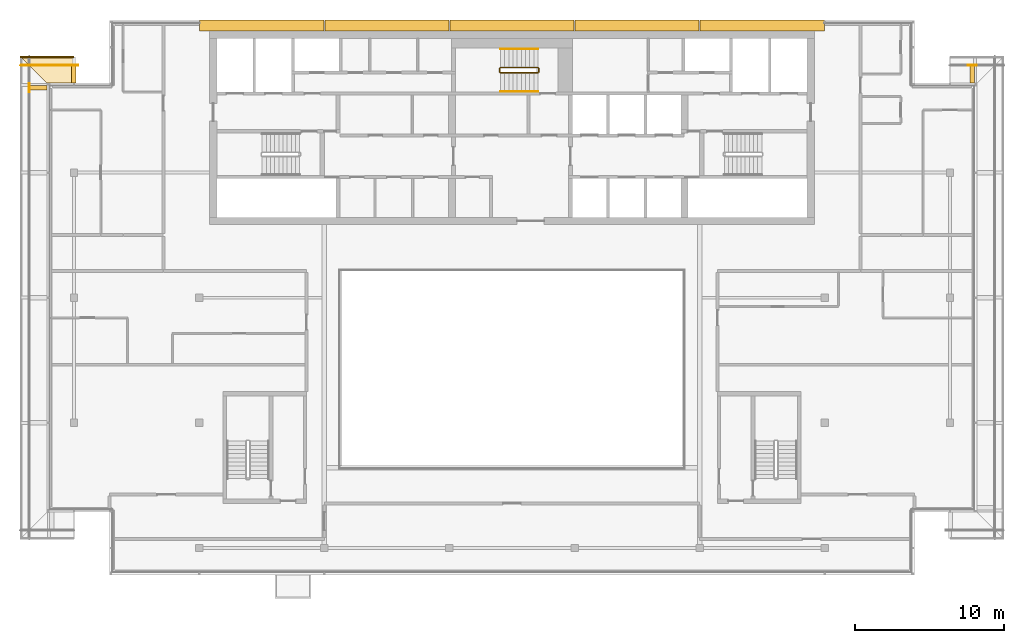
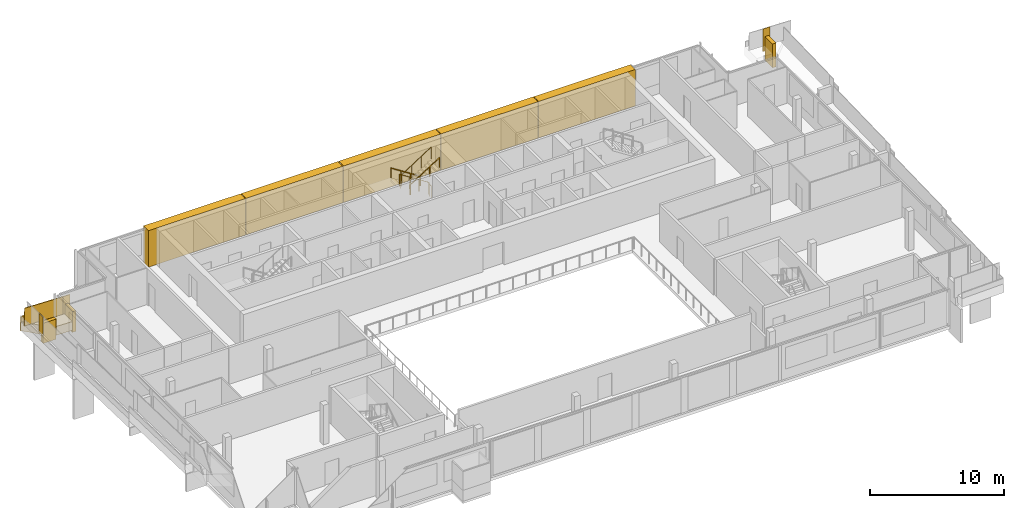
# One storey, part 18 of 19: 10 coverings, 7 railings.
"""IFC4 building model written with IfcOpenShell, lengths in metres."""

from ifc_helpers import new_model, si_unit, direction, frame, origin, origin_2d, place, context, subcontext, project, spatial, polyline, rectangle, circle, outline, extrude, material, layer, layer_set, type_object, element, save


model = new_model("IFC4")

# Units and contexts
model_context = context("Model", 3, precision=1e-05, world=origin(), true_north=direction((0.0, 1.0)))
body_context = subcontext(model_context, "Body", "Model", "MODEL_VIEW")
ifc_project = project(units=[si_unit("LENGTHUNIT", "METRE"), si_unit("AREAUNIT", "SQUARE_METRE"), si_unit("VOLUMEUNIT", "CUBIC_METRE"), si_unit("PLANEANGLEUNIT", "RADIAN"), si_unit("MASSUNIT", "GRAM", prefix="KILO")], contexts=[model_context])

# Site, building, storey
site_placement = place(None, origin())
site = spatial("IfcSite", under=ifc_project, at=site_placement, CompositionType="ELEMENT")
building_placement = place(site_placement, origin())
building = spatial("IfcBuilding", under=site, at=building_placement, Name="Saffron Gate Tower", CompositionType="ELEMENT")
storey_placement = place(building_placement, frame((0.0, 0.0, 292.35009765625)))
storey = spatial("IfcBuildingStorey", under=building, at=storey_placement, Name="L71", CompositionType="ELEMENT", Elevation=292.35009765625)

# Coverings
ifc_material_1 = material(Name="Ceramic-printed bronze insulated panel")
ifc_layer_1 = layer(ifc_material_1, 0.739990234375)
ifc_layer_set_1 = layer_set([ifc_layer_1], Name="CLD5 ceramic-printed cladding panel 740")
covering_type_1 = type_object("IfcCoveringType", Name="CLD5 ceramic-printed cladding panel 740", PredefinedType="CLADDING", material=ifc_layer_set_1)
covering_1_placement = place(storey_placement, origin())
element("IfcCovering", 1, at=covering_1_placement, inside=storey, type_object=covering_type_1, Name="CLADDING ceramic-printed panel", PredefinedType="CLADDING", context=body_context, shape_type="SweptSolid", body=[
    extrude(outline(polyline([(108.56494140625, 75.639892578125), (100.235107421875, 75.639892578125), (100.235107421875, 74.89990234375), (108.56494140625, 74.89990234375), (108.56494140625, 75.639892578125)])), origin(), (0.0, 0.0, 1.0), 3.31982421875),
])
covering_2_placement = place(storey_placement, origin())
element("IfcCovering", 2, at=covering_2_placement, inside=storey, type_object=covering_type_1, Name="CLADDING ceramic-printed panel", PredefinedType="CLADDING", context=body_context, shape_type="SweptSolid", body=[
    extrude(outline(polyline([(100.1650390625, 75.639892578125), (91.8349609375, 75.639892578125), (91.8349609375, 74.89990234375), (100.1650390625, 74.89990234375), (100.1650390625, 75.639892578125)])), origin(), (0.0, 0.0, 1.0), 3.31982421875),
])
covering_3_placement = place(storey_placement, origin())
element("IfcCovering", 3, at=covering_3_placement, inside=storey, type_object=covering_type_1, Name="CLADDING ceramic-printed panel", PredefinedType="CLADDING", context=body_context, shape_type="SweptSolid", body=[
    extrude(outline(polyline([(91.764892578125, 75.639892578125), (83.43505859375, 75.639892578125), (83.43505859375, 74.89990234375), (91.764892578125, 74.89990234375), (91.764892578125, 75.639892578125)])), origin(), (0.0, 0.0, 1.0), 3.31982421875),
])
covering_4_placement = place(storey_placement, origin())
element("IfcCovering", 4, at=covering_4_placement, inside=storey, type_object=covering_type_1, Name="CLADDING ceramic-printed panel", PredefinedType="CLADDING", context=body_context, shape_type="SweptSolid", body=[
    extrude(outline(polyline([(83.364990234375, 75.639892578125), (75.034912109375, 75.639892578125), (75.034912109375, 74.89990234375), (83.364990234375, 74.89990234375), (83.364990234375, 75.639892578125)])), origin(), (0.0, 0.0, 1.0), 3.31982421875),
])
covering_5_placement = place(storey_placement, origin())
element("IfcCovering", 5, at=covering_5_placement, inside=storey, type_object=covering_type_1, Name="CLADDING ceramic-printed panel", PredefinedType="CLADDING", context=body_context, shape_type="SweptSolid", body=[
    extrude(outline(polyline([(74.965087890625, 75.639892578125), (66.635009765625, 75.639892578125), (66.635009765625, 74.89990234375), (74.965087890625, 74.89990234375), (74.965087890625, 75.639892578125)])), origin(), (0.0, 0.0, 1.0), 3.31982421875),
])

# Railings
ifc_material_2 = material(Name="Stainless steel and laminated glass", Category="steel")
railing_type_1 = type_object("IfcRailingType", Name="CR1 Stair guard 1100", PredefinedType="GUARDRAIL", material=ifc_material_2)
railing_1_placement = place(storey_placement, frame((89.39990234375, 72.14990234375, 0.0)))
element("IfcRailing", 6, at=railing_1_placement, inside=storey, type_object=railing_type_1, Name="L71 ST-C stair guard 1", PredefinedType="GUARDRAIL", context=body_context, shape_type="SweptSolid", body=[
    extrude(circle(Radius=0.02392578125, at=origin_2d()), frame((0.0, 0.0, 1.076171875), z_axis=(0.0, 1.0, 0.0), x_axis=(-1.0, 0.0, 0.0)), (0.0, 0.0, 1.0), 0.25),
    extrude(circle(Radius=0.02392578125, at=origin_2d()), frame((0.0, 0.25, 1.076171875), z_axis=(-0.257669022063, 0.258932105505, 0.930892496375), x_axis=(-0.708833529934, -0.705375805398, 0.0)), (0.0, 0.0, 1.0), 0.193359375),
    extrude(circle(Radius=0.02392578125, at=origin_2d()), frame((-0.0498046875, 0.300048828125, 1.255859375), z_axis=(-0.841199657755, 0.0, 0.540724639528), x_axis=(0.0, -1.0, 0.0)), (0.0, 0.0, 1.0), 2.995849609375),
    extrude(circle(Radius=0.02392578125, at=origin_2d()), frame((-2.56982421875, 0.300048828125, 2.8759765625), z_axis=(-0.707106781187, -0.707106781187, 0.0), x_axis=(0.707106781187, -0.707106781187, 0.0)), (0.0, 0.0, 1.0), 0.07080078125),
    extrude(circle(Radius=0.02392578125, at=origin_2d()), frame((-2.619873046875, 0.25, 2.8759765625), z_axis=(0.0, -1.0, 0.0), x_axis=(1.0, 0.0, 0.0)), (0.0, 0.0, 1.0), 0.25),
    extrude(circle(Radius=0.02392578125, at=origin_2d()), frame((-2.619873046875, 0.0, 2.8759765625), z_axis=(0.258627984543, -0.257366384619, 0.931060744355), x_axis=(0.705375805398, 0.708833529934, 0.0)), (0.0, 0.0, 1.0), 0.193603515625),
    extrude(circle(Radius=0.02392578125, at=origin_2d()), frame((-2.56982421875, -0.0498046875, 3.05615234375), z_axis=(0.841199657755, 0.0, 0.540724639528), x_axis=(0.0, 1.0, 0.0)), (0.0, 0.0, 1.0), 2.995849609375),
    extrude(circle(Radius=0.02099609375, at=origin_2d()), origin(), (0.0, 0.0, 1.0), 1.052001953125),
    extrude(circle(Radius=0.02099609375, at=origin_2d()), frame((0.0, 0.25, 0.0)), (0.0, 0.0, 1.0), 1.052001953125),
    extrude(circle(Radius=0.02099609375, at=origin_2d()), frame((-0.0498046875, 0.300048828125, 0.179931640625)), (0.0, 0.0, 1.0), 1.052001953125),
    extrude(circle(Radius=0.02099609375, at=origin_2d()), frame((-0.889892578125, 0.300048828125, 0.719970703125)), (0.0, 0.0, 1.0), 1.052001953125),
    extrude(circle(Radius=0.02099609375, at=origin_2d()), frame((-1.729736328125, 0.300048828125, 1.259765625)), (0.0, 0.0, 1.0), 1.052001953125),
    extrude(circle(Radius=0.02099609375, at=origin_2d()), frame((-2.56982421875, 0.300048828125, 1.7998046875)), (0.0, 0.0, 1.0), 1.052001953125),
    extrude(circle(Radius=0.02099609375, at=origin_2d()), frame((-2.619873046875, 0.25, 1.7998046875)), (0.0, 0.0, 1.0), 1.052001953125),
    extrude(circle(Radius=0.02099609375, at=origin_2d()), frame((-2.619873046875, 0.0, 1.7998046875)), (0.0, 0.0, 1.0), 1.052001953125),
    extrude(circle(Radius=0.02099609375, at=origin_2d()), frame((-2.56982421875, -0.0498046875, 1.97998046875)), (0.0, 0.0, 1.0), 1.052001953125),
    extrude(circle(Radius=0.02099609375, at=origin_2d()), frame((-1.729736328125, -0.0498046875, 2.52001953125)), (0.0, 0.0, 1.0), 1.052001953125),
    extrude(circle(Radius=0.02099609375, at=origin_2d()), frame((-0.889892578125, -0.0498046875, 3.059814453125)), (0.0, 0.0, 1.0), 1.052001953125),
    extrude(circle(Radius=0.02099609375, at=origin_2d()), frame((-0.0498046875, -0.0498046875, 3.599853515625)), (0.0, 0.0, 1.0), 1.052001953125),
])
ifc_material_3 = material(Name="Stainless steel", Category="steel")
railing_type_2 = type_object("IfcRailingType", Name="CR2 Stair handrail 900", PredefinedType="HANDRAIL", material=ifc_material_3)
railing_2_placement = place(storey_placement, frame((89.35009765625, 73.699951171875, 0.179931640625)))
element("IfcRailing", 7, at=railing_2_placement, inside=storey, type_object=railing_type_2, Name="L71 ST-C stair handrail 1", PredefinedType="HANDRAIL", context=body_context, shape_type="SweptSolid", body=[
    extrude(circle(Radius=0.02392578125, at=origin_2d()), frame((0.0, 0.0, 0.8759765625), z_axis=(-0.841199657755, 0.0, 0.540724639528), x_axis=(0.0, -1.0, 0.0)), (0.0, 0.0, 1.0), 2.995849609375),
    extrude(circle(Radius=0.02099609375, at=origin_2d()), origin(), (0.0, 0.0, 1.0), 0.851806640625),
    extrude(circle(Radius=0.02099609375, at=origin_2d()), frame((-0.840087890625, 0.0, 0.5400390625)), (0.0, 0.0, 1.0), 0.851806640625),
    extrude(circle(Radius=0.02099609375, at=origin_2d()), frame((-1.679931640625, 0.0, 1.079833984375)), (0.0, 0.0, 1.0), 0.851806640625),
    extrude(circle(Radius=0.02099609375, at=origin_2d()), frame((-2.52001953125, 0.0, 1.619873046875)), (0.0, 0.0, 1.0), 0.851806640625),
])
railing_3_placement = place(storey_placement, frame((86.830078125, 70.85009765625, 1.97998046875)))
element("IfcRailing", 8, at=railing_3_placement, inside=storey, type_object=railing_type_2, Name="L71 ST-C stair handrail 2", PredefinedType="HANDRAIL", context=body_context, shape_type="SweptSolid", body=[
    extrude(circle(Radius=0.02392578125, at=origin_2d()), frame((0.0, 0.0, 0.8759765625), z_axis=(0.841199657755, 0.0, 0.540724639528), x_axis=(0.0, 1.0, 0.0)), (0.0, 0.0, 1.0), 2.995849609375),
    extrude(circle(Radius=0.02099609375, at=origin_2d()), origin(), (0.0, 0.0, 1.0), 0.851806640625),
    extrude(circle(Radius=0.02099609375, at=origin_2d()), frame((0.840087890625, 0.0, 0.5400390625)), (0.0, 0.0, 1.0), 0.851806640625),
    extrude(circle(Radius=0.02099609375, at=origin_2d()), frame((1.679931640625, 0.0, 1.079833984375)), (0.0, 0.0, 1.0), 0.851806640625),
    extrude(circle(Radius=0.02099609375, at=origin_2d()), frame((2.52001953125, 0.0, 1.619873046875)), (0.0, 0.0, 1.0), 0.851806640625),
])

# Coverings
ifc_material_4 = material(Name="Timber, thermally modified ash", Category="wood")
ifc_layer_2 = layer(ifc_material_4, 0.800048828125)
ifc_layer_set_2 = layer_set([ifc_layer_2], Name="LD1 ledge timber")
covering_type_2 = type_object("IfcCoveringType", Name="LD1 ledge timber", PredefinedType="CLADDING", material=ifc_layer_set_2)
covering_6_placement = place(storey_placement, frame((58.199951171875, 71.39990234375, 0.1669921875), z_axis=(0.028788135707, -4.6492774e-05, 0.99958553465), x_axis=(-0.99958553573, -2.161e-09, 0.028788135738)))
element("IfcCovering", 9, at=covering_6_placement, inside=storey, type_object=covering_type_2, Name="LEDGE", PredefinedType="CLADDING", context=body_context, shape_type="SweptSolid", body=[
    extrude(outline(polyline([(0.0, 0.0), (1.8007927831333284, -4.235164736271502e-22), (3.6013485512933356, -1.8000488378518529), (-3.889338571966608e-09, -1.8000488261795269), (0.0, 0.0)])), origin(), (0.0, 0.0, -1.0), 0.800048828125),
])
ifc_layer_3 = layer(ifc_material_4, 0.080078125)
ifc_layer_set_3 = layer_set([ifc_layer_3], Name="LD2 ledge planter trough")
covering_type_3 = type_object("IfcCoveringType", Name="LD2 ledge planter trough", PredefinedType="CLADDING", material=ifc_layer_set_3)
covering_7_placement = place(storey_placement, frame((58.199951171875, 73.199951171875, 0.1669921875), z_axis=(0.0, 1.0, 0.0), x_axis=(-0.999584866472, 0.0, 0.028811364412)))
element("IfcCovering", 10, at=covering_7_placement, inside=storey, type_object=covering_type_3, Name="LEDGE planter trough", PredefinedType="CLADDING", context=body_context, shape_type="SweptSolid", body=[
    extrude(outline(polyline([(0.0, 0.0), (3.601348556155073, 0.0), (3.6157542383609322, 0.49979243323622236), (0.01440568220585924, 0.49979243323622236), (0.0, 0.0)])), origin(), (0.0, 0.0, -1.0), 0.080078125),
])
ifc_layer_4 = layer(ifc_material_4, 0.300048828125)
ifc_layer_set_4 = layer_set([ifc_layer_4], Name="LD3 ledge riser fin")
covering_type_4 = type_object("IfcCoveringType", Name="LD3 ledge riser fin", PredefinedType="CLADDING", material=ifc_layer_set_4)
covering_8_placement = place(storey_placement, frame((118.5, 71.9599609375, 2.1650390625), z_axis=(0.0, 0.0, 1.0), x_axis=(-1.0, 0.0, 0.0)))
element("IfcCovering", 11, at=covering_8_placement, inside=storey, type_object=covering_type_4, Name="LEDGE riser fin", PredefinedType="CLADDING", context=body_context, shape_type="SweptSolid", body=[
    extrude(rectangle(XDim=0.300048828125, YDim=1.1201171875, at=origin_2d()), origin(), (0.0, 0.0, 1.0), 2.16748046875),
])
covering_9_placement = place(storey_placement, frame((58.199951171875, 71.9599609375, -0.81982421875), z_axis=(0.0, 0.0, 1.0), x_axis=(-1.0, 0.0, 0.0)))
element("IfcCovering", 12, at=covering_9_placement, inside=storey, type_object=covering_type_4, Name="LEDGE riser fin", PredefinedType="CLADDING", context=body_context, shape_type="SweptSolid", body=[
    extrude(rectangle(XDim=0.300048828125, YDim=1.1201171875, at=origin_2d()), origin(), (0.0, 0.0, 1.0), 1.886962890625),
])
covering_10_placement = place(storey_placement, frame((55.840087890625, 71.10009765625, -0.581298828125), z_axis=(0.0, 0.0, 1.0), x_axis=(0.0, -1.0, 0.0)))
element("IfcCovering", 13, at=covering_10_placement, inside=storey, type_object=covering_type_4, Name="LEDGE riser fin", PredefinedType="CLADDING", context=body_context, shape_type="SweptSolid", body=[
    extrude(rectangle(XDim=0.300048828125, YDim=1.1201171875, at=origin_2d()), origin(), (0.0, 0.0, 1.0), 1.84033203125),
])

# Railings
railing_type_3 = type_object("IfcRailingType", Name="LG1 ledge balustrade", PredefinedType="BALUSTRADE", material=ifc_material_4)
railing_4_placement = place(storey_placement, frame((118.800048828125, 72.60009765625, 2.965087890625)))
element("IfcRailing", 14, at=railing_4_placement, inside=storey, type_object=railing_type_3, Name="LEDGE BALUSTRADE", PredefinedType="BALUSTRADE", context=body_context, shape_type="SweptSolid", body=[
    extrude(rectangle(XDim=0.06005859375, YDim=2.0673828125, at=origin_2d()), frame((0.0, 0.0, 1.03369140625), z_axis=(-1.0, 0.0, 0.0), x_axis=(0.0, -1.0, 0.0)), (0.0, 0.0, 1.0), 0.60009765625),
])
railing_5_placement = place(storey_placement, frame((58.199951171875, 72.60009765625, 0.1669921875)))
element("IfcRailing", 15, at=railing_5_placement, inside=storey, type_object=railing_type_3, Name="LEDGE BALUSTRADE", PredefinedType="BALUSTRADE", context=body_context, shape_type="SweptSolid", body=[
    extrude(rectangle(XDim=0.06005859375, YDim=1.60009765625, at=origin_2d()), frame((0.0, 0.0, 0.800048828125), z_axis=(-0.999584866472, 0.0, 0.028811364412), x_axis=(0.0, -1.0, 0.0)), (0.0, 0.0, 1.0), 3.601318359375),
])
railing_6_placement = place(storey_placement, frame((58.5, 72.60009765625, -0.02001953125)))
element("IfcRailing", 16, at=railing_6_placement, inside=storey, type_object=railing_type_3, Name="LEDGE BALUSTRADE", PredefinedType="BALUSTRADE", context=body_context, shape_type="SweptSolid", body=[
    extrude(rectangle(XDim=0.06005859375, YDim=1.787109375, at=origin_2d()), frame((0.0, 0.0, 0.8935546875), z_axis=(-1.0, 0.0, 0.0), x_axis=(0.0, -1.0, 0.0)), (0.0, 0.0, 1.0), 0.60009765625),
])
railing_7_placement = place(storey_placement, frame((55.199951171875, 71.39990234375, 0.21875)))
element("IfcRailing", 17, at=railing_7_placement, inside=storey, type_object=railing_type_3, Name="LEDGE BALUSTRADE", PredefinedType="BALUSTRADE", context=body_context, shape_type="SweptSolid", body=[
    extrude(rectangle(XDim=0.06005859375, YDim=1.740234375, at=origin_2d()), frame((0.0, 0.0, 0.8701171875), z_axis=(0.0, -1.0, 0.0), x_axis=(1.0, 0.0, 0.0)), (0.0, 0.0, 1.0), 0.599853515625),
])

save(model, "model.ifc")
